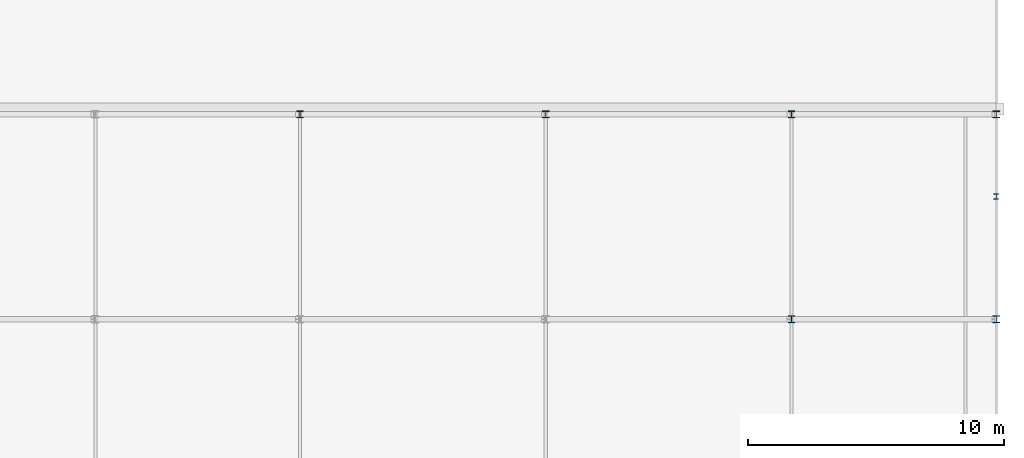
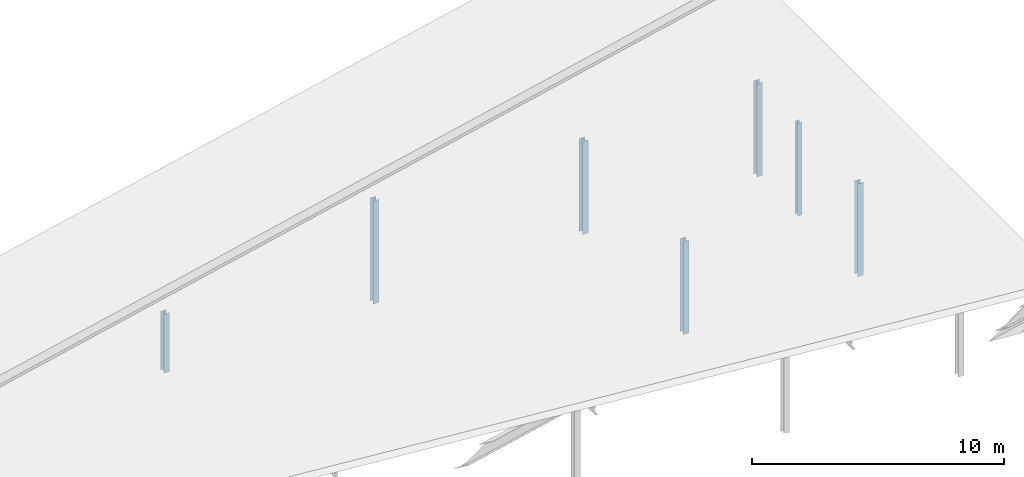
# One storey, part 6 of 41: 7 columns.
"""IFC4 building model written with IfcOpenShell, lengths in metres."""

from ifc_helpers import new_model, si_unit, direction, frame, origin, origin_2d, place, context, subcontext, project, spatial, i_section, extrude, material, material_profile, profile_set, type_object, element, save


model = new_model("IFC4")

# Units and contexts
model_context = context("Model", 3, precision=1e-05, world=origin(), true_north=direction((0.0, 1.0)))
body_context = subcontext(model_context, "Body", "Model", "MODEL_VIEW")
ifc_project = project(units=[si_unit("LENGTHUNIT", "METRE"), si_unit("AREAUNIT", "SQUARE_METRE"), si_unit("VOLUMEUNIT", "CUBIC_METRE"), si_unit("PLANEANGLEUNIT", "RADIAN"), si_unit("MASSUNIT", "GRAM", prefix="KILO")], contexts=[model_context])

# Site, building, storey
site_placement = place(None, origin())
site = spatial("IfcSite", under=ifc_project, at=site_placement, CompositionType="ELEMENT")
building_placement = place(site_placement, origin())
building = spatial("IfcBuilding", under=site, at=building_placement, Name="Dunescarp Central Library", CompositionType="ELEMENT")
storey_placement = place(building_placement, frame((0.0, 0.0, 23.10009765625)))
storey = spatial("IfcBuildingStorey", under=building, at=storey_placement, Name="L05", CompositionType="ELEMENT", Elevation=23.10009765625)

# Columns
ifc_material = material(Name="Steel S355JR", Category="steel")
ifc_material_profile_1 = material_profile(ifc_material, i_section(OverallWidth=0.206298828125, OverallDepth=0.2158203125, WebThickness=0.010009765625, FlangeThickness=0.017333984375, at=origin_2d()), Name="UC 203x203x71")
ifc_profile_set_1 = profile_set([ifc_material_profile_1], Name="Steel S355JR")
column_type_1 = type_object("IfcColumnType", Name="STR-COL-UC203X71", PredefinedType="COLUMN", material=ifc_profile_set_1)
column_1_placement = place(storey_placement, frame((124.800048828125, 25.60009765625, 0.0), z_axis=(0.0, 0.0, 1.0), x_axis=(1.0, 0.0, 0.0)))
element("IfcColumn", 1, at=column_1_placement, inside=storey, type_object=column_type_1, Name="L05 column V3L-1248-256", PredefinedType="COLUMN", context=body_context, shape_type="SweptSolid", body=[
    extrude(i_section(OverallWidth=0.206298828125, OverallDepth=0.2158203125, WebThickness=0.010009765625, FlangeThickness=0.017333984375, at=origin_2d()), origin(), (0.0, 0.0, 1.0), 4.5),
])
ifc_material_profile_2 = material_profile(ifc_material, i_section(OverallWidth=0.26123046875, OverallDepth=0.2763671875, WebThickness=0.015380859375, FlangeThickness=0.025390625, at=origin_2d()), Name="UC 254x254x132")
ifc_profile_set_2 = profile_set([ifc_material_profile_2], Name="Steel S355JR")
column_type_2 = type_object("IfcColumnType", Name="STR-COL-UC254X132", PredefinedType="COLUMN", material=ifc_profile_set_2)
column_2_placement = place(storey_placement, frame((97.60009765625, 28.800048828125, 0.0), z_axis=(0.0, 0.0, 1.0), x_axis=(1.0, 0.0, 0.0)))
element("IfcColumn", 2, at=column_2_placement, inside=storey, type_object=column_type_2, Name="L05 column V3-976-288", PredefinedType="COLUMN", context=body_context, shape_type="SweptSolid", body=[
    extrude(i_section(OverallWidth=0.26123046875, OverallDepth=0.2763671875, WebThickness=0.015380859375, FlangeThickness=0.025390625, at=origin_2d()), origin(), (0.0, 0.0, 1.0), 2.849853515625),
])
column_3_placement = place(storey_placement, frame((107.199951171875, 28.800048828125, 0.0), z_axis=(0.0, 0.0, 1.0), x_axis=(1.0, 0.0, 0.0)))
element("IfcColumn", 3, at=column_3_placement, inside=storey, type_object=column_type_2, Name="L05 column V3-1072-288", PredefinedType="COLUMN", context=body_context, shape_type="SweptSolid", body=[
    extrude(i_section(OverallWidth=0.26123046875, OverallDepth=0.2763671875, WebThickness=0.015380859375, FlangeThickness=0.025390625, at=origin_2d()), origin(), (0.0, 0.0, 1.0), 4.98388671875),
])
for number, where, z_axis, x_axis, name in (
    (4, (116.800048828125, 20.800048828125, 0.0), (0.0, 0.0, 1.0), (1.0, 0.0, 0.0), "L05 column V3-1168-208"),
    (5, (116.800048828125, 28.800048828125, 0.0), (0.0, 0.0, 1.0), (1.0, 0.0, 0.0), "L05 column V3-1168-288"),
    (6, (124.800048828125, 20.800048828125, 0.0), (0.0, 0.0, 1.0), (1.0, 0.0, 0.0), "L05 column V3-1248-208"),
    (7, (124.800048828125, 28.800048828125, 0.0), (0.0, 0.0, 1.0), (1.0, 0.0, 0.0), "L05 column V3-1248-288"),
):
    element("IfcColumn", number, at=place(storey_placement, frame(where, z_axis=z_axis, x_axis=x_axis)), inside=storey, type_object=column_type_2, Name=name, PredefinedType="COLUMN", context=body_context, shape_type="SweptSolid", body=[
        extrude(i_section(OverallWidth=0.26123046875, OverallDepth=0.2763671875, WebThickness=0.015380859375, FlangeThickness=0.025390625, at=origin_2d()), origin(), (0.0, 0.0, 1.0), 4.5),
    ])

save(model, "model.ifc")
